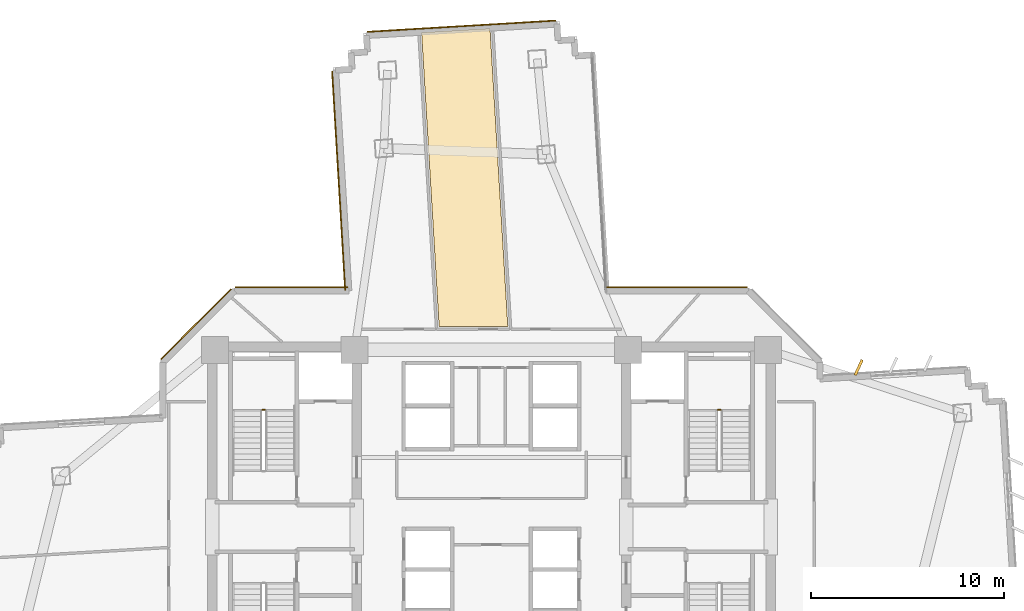
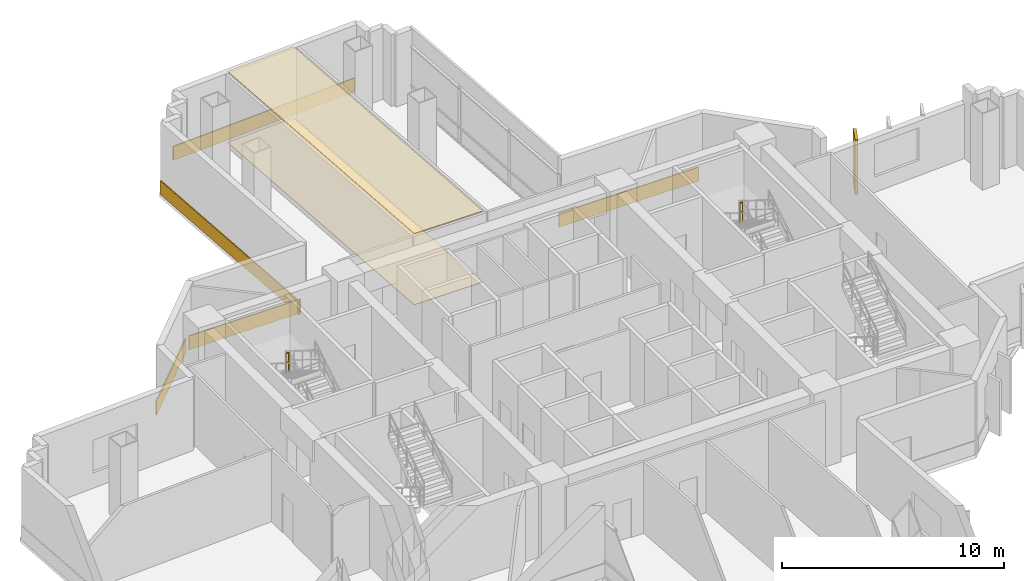
# One storey, part 14 of 15: 8 coverings, 2 railings.
"""IFC4 building model written with IfcOpenShell, lengths in metres."""

from ifc_helpers import new_model, si_unit, direction, frame, origin, origin_2d, place, context, subcontext, project, spatial, polyline, rectangle, outline, extrude, source, transform, mapped, material, layer, layer_set, type_object, element, save


model = new_model("IFC4")

# Units and contexts
model_context = context("Model", 3, precision=1e-05, world=origin(), true_north=direction((0.0, 1.0)))
body_context = subcontext(model_context, "Body", "Model", "MODEL_VIEW")
ifc_project = project(units=[si_unit("LENGTHUNIT", "METRE"), si_unit("AREAUNIT", "SQUARE_METRE"), si_unit("VOLUMEUNIT", "CUBIC_METRE"), si_unit("PLANEANGLEUNIT", "RADIAN"), si_unit("MASSUNIT", "GRAM", prefix="KILO")], contexts=[model_context])

# Site, building, storey
site_placement = place(None, origin())
site = spatial("IfcSite", under=ifc_project, at=site_placement, CompositionType="ELEMENT")
building_placement = place(site_placement, origin())
building = spatial("IfcBuilding", under=site, at=building_placement, Name="Zahravan Cultural Tower", CompositionType="ELEMENT")
storey_placement = place(building_placement, frame((0.0, 0.0, 75.300048828125)))
storey = spatial("IfcBuildingStorey", under=building, at=storey_placement, Name="L16", CompositionType="ELEMENT", Elevation=75.300048828125)

# Coverings
ifc_material_1 = material(Name="Acoustic mineral fibreboard")
ifc_layer_1 = layer(ifc_material_1, 0.0400390625)
ifc_layer_set_1 = layer_set([ifc_layer_1], Name="Acoustic mineral fibreboard")
covering_type_1 = type_object("IfcCoveringType", Name="COV-CEIL-AC20", PredefinedType="CEILING", material=ifc_layer_set_1)
covering_1_placement = place(storey_placement, frame((0.0, 0.0, 3.909912109375)))
element("IfcCovering", 1, at=covering_1_placement, inside=storey, type_object=covering_type_1, Name="L16 Acoustic Suspended Ceiling", PredefinedType="CEILING", context=body_context, shape_type="SweptSolid", body=[
    extrude(outline(polyline([(32.372314453125, 52.669189453125), (33.284912109375, 37.39990234375), (36.85107421875, 37.39990234375), (35.92578125, 52.881591796875), (32.372314453125, 52.669189453125)])), origin(), (0.0, 0.0, 1.0), 0.0400390625),
])
ifc_material_2 = material(Name="Terrazzo flooring")
ifc_layer_2 = layer(ifc_material_2, 0.02490234375)
ifc_layer_set_2 = layer_set([ifc_layer_2], Name="Terrazzo flooring")
covering_type_2 = type_object("IfcCoveringType", Name="COV-FLR-TZ25", PredefinedType="FLOORING", material=ifc_layer_set_2)
covering_2_placement = place(storey_placement, origin())
element("IfcCovering", 2, at=covering_2_placement, inside=storey, type_object=covering_type_2, Name="L16 Polished Terrazzo Flooring", PredefinedType="FLOORING", context=body_context, shape_type="SweptSolid", body=[
    extrude(outline(polyline([(32.372314453125, 52.669189453125), (33.284912109375, 37.39990234375), (36.85107421875, 37.39990234375), (35.92578125, 52.881591796875), (32.372314453125, 52.669189453125)])), origin(), (0.0, 0.0, 1.0), 0.02490234375),
])

# Railings
ifc_material_3 = material(Name="Steel ASTM A572 Grade 50", Category="steel")
railing_type = type_object("IfcRailingType", Name="RL-STAIR-GRD1150", PredefinedType="BALUSTRADE", material=ifc_material_3)
for number, where, name in (
    (3, (24.25, 33.080078125, 2.099853515625), "L16 ST-W1 stair guard 2"),
    (4, (47.89990234375, 33.080078125, 2.099853515625), "L16 ST-E1 stair guard 2"),
):
    element("IfcRailing", number, at=place(storey_placement, frame(where)), inside=storey, type_object=railing_type, Name=name, PredefinedType="BALUSTRADE", context=body_context, shape_type="SweptSolid", body=[
        extrude(rectangle(XDim=0.05, YDim=0.05, at=origin_2d()), frame((0.0, 0.0, 1.0751953125), z_axis=(-1.0, 0.0, 0.0), x_axis=(0.0, -1.0, 0.0)), (0.0, 0.0, 1.0), 0.14990234375),
        extrude(rectangle(XDim=0.032, YDim=0.032, at=origin_2d()), frame((0.0, 0.0, 0.572021484375), z_axis=(-1.0, 0.0, 0.0), x_axis=(0.0, -1.0, 0.0)), (0.0, 0.0, 1.0), 0.14990234375),
        extrude(rectangle(XDim=0.04, YDim=0.04, at=origin_2d()), origin(), (0.0, 0.0, 1.0), 1.10009765625),
        extrude(rectangle(XDim=0.04, YDim=0.04, at=origin_2d()), frame((-0.14990234375, 0.0, 0.0)), (0.0, 0.0, 1.0), 1.10009765625),
    ])

# Coverings
ifc_material_4 = material(Name="Terracotta ceramic cladding", Category="masonry")
ifc_layer_3 = layer(ifc_material_4, 0.06005859375)
ifc_layer_set_3 = layer_set([ifc_layer_3], Name="Terracotta ceramic cladding")
covering_type_3 = type_object("IfcCoveringType", Name="COV-CLAD-TC60", PredefinedType="CLADDING", material=ifc_layer_set_3)
shared_shape_1 = source(origin(), body_context, "Body", "SweptSolid", [
    extrude(rectangle(XDim=9.820068359375, YDim=0.06005859375, at=origin_2d()), origin(), (0.0, 0.0, 1.0), 0.760009765625),
])
covering_3_placement = place(storey_placement, frame((34.4462890625, 52.99853515625, 0.02001953125), z_axis=(0.0, 0.0, 1.0), x_axis=(0.998219065278, 0.05965482139, 0.0)))
element("IfcCovering", 5, at=covering_3_placement, inside=storey, type_object=covering_type_3, Name="L16 Terracotta Spandrel Cladding 47", PredefinedType="CLADDING", context=body_context, shape_type="MappedRepresentation", body=[
    mapped(shared_shape_1, transform((0.0, 0.0, 0.0), x_axis=(1.0, 0.0, 0.0), y_axis=(0.0, 1.0, 0.0), z_axis=(0.0, 0.0, 1.0), scale=1.0)),
])
shared_shape_2 = source(origin(), body_context, "Body", "SweptSolid", [
    extrude(rectangle(XDim=5.157958984375, YDim=0.06005859375, at=origin_2d()), origin(), (0.0, 0.0, 1.0), 0.760009765625),
])
covering_4_placement = place(storey_placement, frame((20.668212890625, 37.53173828125, 0.02001953125), z_axis=(0.0, 0.0, 1.0), x_axis=(0.707106781187, 0.707106781187, 0.0)))
element("IfcCovering", 6, at=covering_4_placement, inside=storey, type_object=covering_type_3, Name="L16 Terracotta Spandrel Cladding 40", PredefinedType="CLADDING", context=body_context, shape_type="MappedRepresentation", body=[
    mapped(shared_shape_2, transform((0.0, 0.0, 0.0), x_axis=(1.0, 0.0, 0.0), y_axis=(0.0, 1.0, 0.0), z_axis=(0.0, 0.0, 1.0), scale=1.0)),
])
shared_shape_3 = source(origin(), body_context, "Body", "SweptSolid", [
    extrude(rectangle(XDim=0.8798828125, YDim=0.139892578125, at=origin_2d()), origin(), (0.0, 0.0, 1.0), 3.030029296875),
])
covering_5_placement = place(storey_placement, frame((55.064208984375, 35.281982421875, 0.0498046875), z_axis=(0.0, 0.0, 1.0), x_axis=(0.41596338363, 0.909381363059, 0.0)))
element("IfcCovering", 7, at=covering_5_placement, inside=storey, type_object=covering_type_3, Name="L16 Herringbone Terracotta Fin 01", PredefinedType="CLADDING", context=body_context, shape_type="MappedRepresentation", body=[
    mapped(shared_shape_3, transform((0.0, 0.0, 0.0), x_axis=(1.0, 0.0, 0.0), y_axis=(0.0, 1.0, 0.0), z_axis=(0.0, 0.0, 1.0), scale=1.0)),
])
shared_shape_4 = source(origin(), body_context, "Body", "SweptSolid", [
    extrude(rectangle(XDim=5.83740234375, YDim=0.06005859375, at=origin_2d()), origin(), (0.0, 0.0, 1.0), 0.760009765625),
])
covering_6_placement = place(storey_placement, frame((25.626708984375, 39.445068359375, 0.02001953125), z_axis=(0.0, 0.0, 1.0), x_axis=(1.0, 0.0, 0.0)))
element("IfcCovering", 8, at=covering_6_placement, inside=storey, type_object=covering_type_3, Name="L16 Terracotta Spandrel Cladding 41", PredefinedType="CLADDING", context=body_context, shape_type="MappedRepresentation", body=[
    mapped(shared_shape_4, transform((0.0, 0.0, 0.0), x_axis=(1.0, 0.0, 0.0), y_axis=(0.0, 1.0, 0.0), z_axis=(0.0, 0.0, 1.0), scale=1.0)),
])
shared_shape_5 = source(origin(), body_context, "Body", "SweptSolid", [
    extrude(rectangle(XDim=11.380126953125, YDim=0.06005859375, at=origin_2d()), origin(), (0.0, 0.0, 1.0), 0.760009765625),
])
covering_7_placement = place(storey_placement, frame((28.068359375, 44.978759765625, 0.02001953125), z_axis=(0.0, 0.0, 1.0), x_axis=(-0.05965482139, 0.998219065278, 0.0)))
element("IfcCovering", 9, at=covering_7_placement, inside=storey, type_object=covering_type_3, Name="L16 Terracotta Spandrel Cladding 42", PredefinedType="CLADDING", context=body_context, shape_type="MappedRepresentation", body=[
    mapped(shared_shape_5, transform((0.0, 0.0, 0.0), x_axis=(1.0, 0.0, 0.0), y_axis=(0.0, 1.0, 0.0), z_axis=(0.0, 0.0, 1.0), scale=1.0)),
])
shared_shape_6 = source(origin(), body_context, "Body", "SweptSolid", [
    extrude(rectangle(XDim=7.302734375, YDim=0.06005859375, at=origin_2d()), origin(), (0.0, 0.0, 1.0), 0.760009765625),
])
covering_8_placement = place(storey_placement, frame((45.640625, 39.445068359375, 0.02001953125), z_axis=(0.0, 0.0, 1.0), x_axis=(1.0, 0.0, 0.0)))
element("IfcCovering", 10, at=covering_8_placement, inside=storey, type_object=covering_type_3, Name="L16 Terracotta Spandrel Cladding 52", PredefinedType="CLADDING", context=body_context, shape_type="MappedRepresentation", body=[
    mapped(shared_shape_6, transform((0.0, 0.0, 0.0), x_axis=(1.0, 0.0, 0.0), y_axis=(0.0, 1.0, 0.0), z_axis=(0.0, 0.0, 1.0), scale=1.0)),
])

save(model, "model.ifc")
